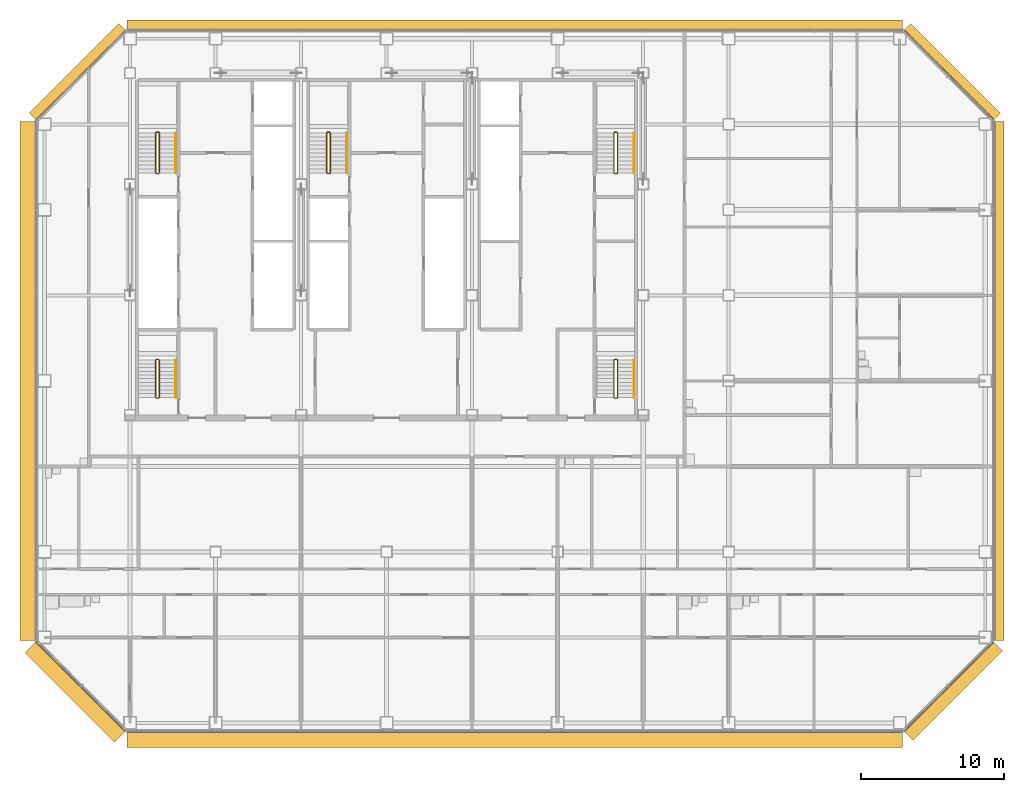
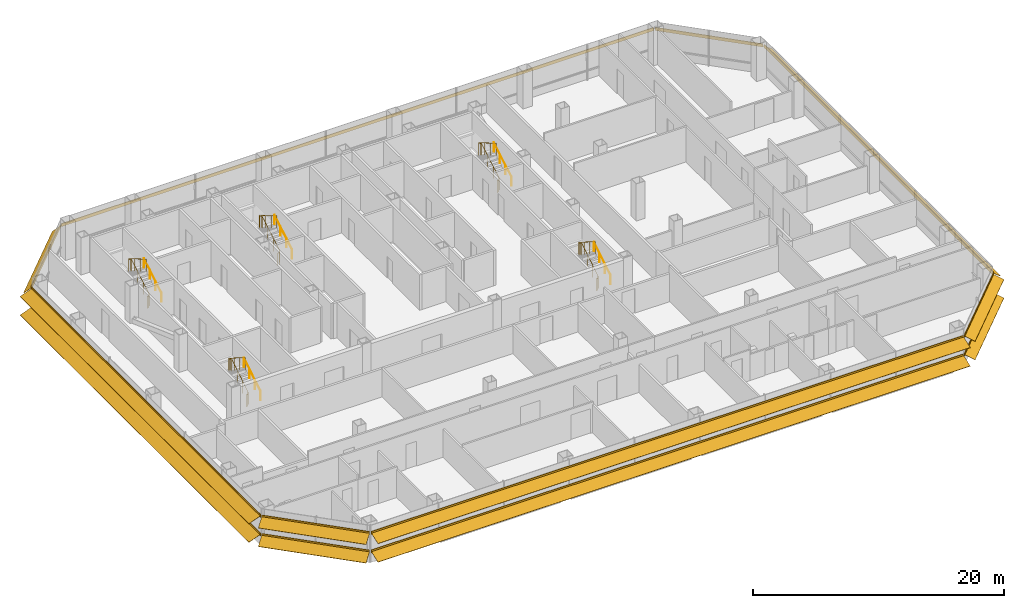
# One storey, part 26 of 27: 10 railings, 8 shading devices.
"""IFC4 building model written with IfcOpenShell, lengths in metres."""

import ifcopenshell
import ifcopenshell.guid

model = None  # the IFC model being written
_history = None  # IfcOwnerHistory: only IFC2X3 demands one
_inside = {}  # id of a spatial element -> (the spatial element, [elements in it])
_under = {}  # id of a project, library or spatial element -> (it, [spatial elements below it])
_declared = {}  # id of a project -> (the project, [libraries it declares])
_typed = {}  # id of a type object -> (the type object, [elements of that type])
_made_of = {}  # id of a material, layer set ... -> (it, [elements and type objects made of it])


def new_model(schema):
    """Start an empty IFC model of exactly this schema.

    Asked for "IFC4X3", IfcOpenShell would pick the latest addendum, in which some entities
    have other attributes; the version numbers below select the first issue.
    IFC2X3 requires an IfcOwnerHistory on every rooted entity: one is made here for all.
    """
    global model, _history
    if schema == "IFC4X3":
        model = ifcopenshell.file(schema_version=(4, 3, 0, 0))
    else:
        model = ifcopenshell.file(schema=schema)
    _inside.clear()
    _under.clear()
    _declared.clear()
    _typed.clear()
    _made_of.clear()
    _history = None
    if model.schema == "IFC2X3":
        org = make("IfcOrganization", Name="unknown")
        user = make(
            "IfcPersonAndOrganization",
            ThePerson=make("IfcPerson", FamilyName="unknown"),
            TheOrganization=org,
        )
        app = make(
            "IfcApplication",
            ApplicationDeveloper=org,
            Version="unknown",
            ApplicationFullName="unknown",
            ApplicationIdentifier="unknown",
        )
        _history = make(
            "IfcOwnerHistory",
            OwningUser=user,
            OwningApplication=app,
            ChangeAction="ADDED",
            CreationDate=0,
        )
    return model


def make(cls, **values):
    """One entity of the class cls with the attributes given. An attribute that is None is left unset."""
    return model.create_entity(
        cls, **{name: value for name, value in values.items() if value is not None}
    )


def rooted(cls, **values):
    """An entity with a GlobalId (a new one), such as an element, a storey or a relation."""
    return make(cls, GlobalId=ifcopenshell.guid.new(), OwnerHistory=_history, **values)


def si_unit(unit_type, name, prefix=None):
    """IfcSIUnit, for example si_unit("LENGTHUNIT", "METRE", prefix="MILLI")."""
    return make("IfcSIUnit", UnitType=unit_type, Prefix=prefix, Name=name)


def assignment(units):
    """IfcUnitAssignment: the units of a project."""
    return None if units is None else make("IfcUnitAssignment", Units=units)


def point(xyz):
    """IfcCartesianPoint."""
    return None if xyz is None else make("IfcCartesianPoint", Coordinates=xyz)


def direction(xyz):
    """IfcDirection."""
    return None if xyz is None else make("IfcDirection", DirectionRatios=xyz)


def frame(location, z_axis=None, x_axis=None):
    """IfcAxis2Placement3D, a coordinate frame: its origin and axes. An axis left out is left unset."""
    return make(
        "IfcAxis2Placement3D",
        Location=point(location),
        Axis=direction(z_axis),
        RefDirection=direction(x_axis),
    )


def frame_2d(location, x_axis=None):
    """IfcAxis2Placement2D, a coordinate frame in the plane: its origin and x axis."""
    return make(
        "IfcAxis2Placement2D", Location=point(location), RefDirection=direction(x_axis)
    )


def origin():
    """The frame at (0, 0, 0) with its axes left unset."""
    return frame((0.0, 0.0, 0.0))


def origin_2d():
    """The frame at (0, 0) in the plane with its x axis left unset."""
    return frame_2d((0.0, 0.0))


def place(relative_to, where):
    """IfcLocalPlacement: puts the frame where relative to a parent placement (None: the world)."""
    return make(
        "IfcLocalPlacement", PlacementRelTo=relative_to, RelativePlacement=where
    )


def context(
    kind, dimensions, precision=None, world=None, true_north=None, identifier=None
):
    """IfcGeometricRepresentationContext, for example the 3D "Model" context."""
    return make(
        "IfcGeometricRepresentationContext",
        ContextIdentifier=identifier,
        ContextType=kind,
        CoordinateSpaceDimension=dimensions,
        Precision=precision,
        WorldCoordinateSystem=world,
        TrueNorth=true_north,
    )


def subcontext(parent, identifier, kind, view, scale=None):
    """IfcGeometricRepresentationSubContext, for example "Body" below "Model"."""
    return make(
        "IfcGeometricRepresentationSubContext",
        ContextIdentifier=identifier,
        ContextType=kind,
        ParentContext=parent,
        TargetScale=scale,
        TargetView=view,
    )


def project(units=None, contexts=None):
    """IfcProject with its units and contexts."""
    return rooted(
        "IfcProject",
        Name="project",
        RepresentationContexts=contexts,
        UnitsInContext=assignment(units),
    )


def spatial(cls, under=None, at=None, **own):
    """A site, building, storey or space (cls), placed at a placement, below another one or the project."""
    s = rooted(cls, ObjectPlacement=at, **own)
    if under is not None:
        _under.setdefault(under.id(), (under, []))[1].append(s)
    return s


def polyline(points):
    """IfcPolyline through the points."""
    return make("IfcPolyline", Points=[point(p) for p in points])


def profile(cls, at=None, kind="AREA", **sizes):
    """A parametric profile (cls). Its sizes go by their IFC names, for example OverallWidth=200.0."""
    return make(cls, ProfileType=kind, Position=at, **sizes)


def circle(**sizes):
    """IfcCircleProfileDef."""
    return profile("IfcCircleProfileDef", **sizes)


def outline(outer, holes=None, kind="AREA"):
    """IfcArbitraryClosedProfileDef: a profile drawn as a closed curve; with holes, ...WithVoids."""
    if holes is None:
        return make("IfcArbitraryClosedProfileDef", ProfileType=kind, OuterCurve=outer)
    return make(
        "IfcArbitraryProfileDefWithVoids",
        ProfileType=kind,
        OuterCurve=outer,
        InnerCurves=holes,
    )


def composite_profile(profiles, kind="AREA"):
    """IfcCompositeProfileDef: several profiles as one."""
    return make("IfcCompositeProfileDef", ProfileType=kind, Profiles=profiles)


def extrude(swept, where, along, depth):
    """IfcExtrudedAreaSolid: the profile swept, set in the frame where, extruded along a direction by depth."""
    return make(
        "IfcExtrudedAreaSolid",
        SweptArea=swept,
        Position=where,
        ExtrudedDirection=direction(along),
        Depth=depth,
    )


def shape(context_of_items, identifier, shape_type, items):
    """IfcShapeRepresentation: the items that make up one representation, for example the "Body"."""
    return make(
        "IfcShapeRepresentation",
        ContextOfItems=context_of_items,
        RepresentationIdentifier=identifier,
        RepresentationType=shape_type,
        Items=items,
    )


def material(Name=None, Category=None):
    """IfcMaterial."""
    return make("IfcMaterial", Name=Name, Category=Category)


def made_of(thing, what):
    """Note that an element or type object is made of a material, layer set ...; save() writes the relation."""
    if what is not None:
        _made_of.setdefault(what.id(), (what, []))[1].append(thing)
    return thing


def type_object(cls, material=None, **own):
    """A type object (cls), such as IfcWallType, which elements share."""
    return made_of(rooted(cls, **own), material)


def element(
    cls,
    number,
    at=None,
    inside=None,
    cuts=None,
    type_object=None,
    material=None,
    context=None,
    identifier="Body",
    shape_type=None,
    held_by="IfcProductDefinitionShape",
    body=None,
    shapes=None,
    **own,
):
    """One element of the class cls, such as IfcWall. Its Tag is "e" and its number.

    at: its placement. inside: the storey or other place that contains it. cuts: it is an
    opening in that element (IfcRelVoidsElement). A single representation is given by context,
    identifier, shape_type and body (its items); several are given by shapes. held_by: the class
    of the entity that holds the representations. save() writes the other relations.
    """
    e = rooted(cls, Tag="e%d" % number, ObjectPlacement=at, **own)
    if body is not None:
        shapes = [shape(context, identifier, shape_type, body)]
    if shapes is not None:
        e.Representation = make(held_by, Representations=shapes)
    if inside is not None:
        _inside.setdefault(inside.id(), (inside, []))[1].append(e)
    if cuts is not None:
        rooted(
            "IfcRelVoidsElement", RelatingBuildingElement=cuts, RelatedOpeningElement=e
        )
    if type_object is not None:
        _typed.setdefault(type_object.id(), (type_object, []))[1].append(e)
    return made_of(e, material)


def aggregate(whole, parts):
    """IfcRelAggregates: a whole, such as a stair, and the parts it consists of."""
    return rooted("IfcRelAggregates", RelatingObject=whole, RelatedObjects=parts)


def save(model, path):
    """Write the relations noted so far, then the file.

    IfcRelAggregates (storeys below a building ...), IfcRelContainedInSpatialStructure (elements
    in a storey), IfcRelDefinesByType, IfcRelAssociatesMaterial and IfcRelDeclares: one each for
    every whole, place, type object, material and project.
    """
    for whole, parts in _under.values():
        aggregate(whole, parts)
    for where, things in _inside.values():
        rooted(
            "IfcRelContainedInSpatialStructure",
            RelatedElements=things,
            RelatingStructure=where,
        )
    for kind, things in _typed.values():
        rooted("IfcRelDefinesByType", RelatedObjects=things, RelatingType=kind)
    for what, things in _made_of.values():
        rooted("IfcRelAssociatesMaterial", RelatedObjects=things, RelatingMaterial=what)
    for by, libraries in _declared.values():
        rooted("IfcRelDeclares", RelatingContext=by, RelatedDefinitions=libraries)
    model.write(path)


model = new_model("IFC4")

# Units and contexts
model_context = context("Model", 3, precision=1e-05, world=origin(), true_north=direction((0.0, 1.0)))
body_context = subcontext(model_context, "Body", "Model", "MODEL_VIEW")
ifc_project = project(units=[si_unit("LENGTHUNIT", "METRE"), si_unit("AREAUNIT", "SQUARE_METRE"), si_unit("VOLUMEUNIT", "CUBIC_METRE"), si_unit("PLANEANGLEUNIT", "RADIAN"), si_unit("MASSUNIT", "GRAM", prefix="KILO")], contexts=[model_context])

# Site, building, storey
site_placement = place(None, origin())
site = spatial("IfcSite", under=ifc_project, at=site_placement, CompositionType="ELEMENT")
building_placement = place(site_placement, origin())
building = spatial("IfcBuilding", under=site, at=building_placement, Name="Sorahane Residences", CompositionType="ELEMENT")
storey_placement = place(building_placement, frame((0.0, 0.0, 53.39990234375)))
storey = spatial("IfcBuildingStorey", under=building, at=storey_placement, Name="L09", CompositionType="ELEMENT", Elevation=53.39990234375)

# Shading devices
ifc_material_1 = material(Name="Terracotta anodised aluminium", Category="masonry")
shading_device_type_1 = type_object("IfcShadingDeviceType", Name="Louvre sunshade blade E terracotta aluminium 700", PredefinedType="JALOUSIE", material=ifc_material_1)
shading_device_1_placement = place(storey_placement, frame((66.60009765625, 5.801513671875, 2.7001953125), z_axis=(0.0, 1.0, 0.0), x_axis=(-1.0, 0.0, 0.0)))
element("IfcShadingDevice", 1, at=shading_device_1_placement, inside=storey, type_object=shading_device_type_1, Name="Louvre sunshade blade bank E L09 E1", PredefinedType="JALOUSIE", context=body_context, shape_type="SweptSolid", body=[
    extrude(outline(polyline([(-0.719970703125, -0.49365234375), (-0.719970703125, -0.523681640625), (-0.080078125, -0.05859375), (-0.080078125, -0.14990234375), (-0.02001953125, -0.14990234375), (-0.02001953125, -0.014892578125), (-0.02001953125, 0.014892578125), (-0.02001953125, 0.14990234375), (-0.080078125, 0.14990234375), (-0.080078125, -0.028564453125), (-0.719970703125, -0.49365234375)])), origin(), (0.0, 0.0, 1.0), 36.39697265625),
])
ifc_material_2 = material(Name="Terracotta anodised aluminium", Category="masonry")
shading_device_type_2 = type_object("IfcShadingDeviceType", Name="Louvre sunshade blade N terracotta aluminium 700", PredefinedType="JALOUSIE", material=ifc_material_2)
shading_device_2_placement = place(storey_placement, frame((60.198486328125, 48.60009765625, 2.7001953125), z_axis=(-1.0, 0.0, 0.0), x_axis=(0.0, -1.0, 0.0)))
element("IfcShadingDevice", 2, at=shading_device_2_placement, inside=storey, type_object=shading_device_type_2, Name="Louvre sunshade blade bank N L09 N1", PredefinedType="JALOUSIE", context=body_context, shape_type="SweptSolid", body=[
    extrude(outline(polyline([(-0.719970703125, -0.660888671875), (-0.719970703125, -0.69091796875), (-0.080078125, -0.072998046875), (-0.080078125, -0.14990234375), (-0.02001953125, -0.14990234375), (-0.02001953125, -0.014892578125), (-0.02001953125, 0.014892578125), (-0.02001953125, 0.14990234375), (-0.080078125, 0.14990234375), (-0.080078125, -0.04296875), (-0.719970703125, -0.660888671875)])), origin(), (0.0, 0.0, 1.0), 54.39697265625),
])
ifc_material_3 = material(Name="Terracotta anodised aluminium", Category="masonry")
shading_device_type_3 = type_object("IfcShadingDeviceType", Name="Louvre sunshade blade NE terracotta aluminium 700", PredefinedType="JALOUSIE", material=ifc_material_3)
shading_device_3_placement = place(storey_placement, frame((66.564697265625, 42.283935546875, 2.7001953125), z_axis=(-0.707106781187, 0.707106781187, 0.0), x_axis=(-0.707106781187, -0.707106781187, 0.0)))
element("IfcShadingDevice", 3, at=shading_device_3_placement, inside=storey, type_object=shading_device_type_3, Name="Louvre sunshade blade bank NE L09 NE1", PredefinedType="JALOUSIE", context=body_context, shape_type="SweptSolid", body=[
    extrude(outline(polyline([(-0.719970703125, -0.572509765625), (-0.719970703125, -0.602294921875), (-0.080078125, -0.065185546875), (-0.080078125, -0.14990234375), (-0.02001953125, -0.14990234375), (-0.02001953125, -0.014892578125), (-0.02001953125, 0.014892578125), (-0.02001953125, 0.14990234375), (-0.080078125, 0.14990234375), (-0.080078125, -0.035400390625), (-0.719970703125, -0.572509765625)])), origin(), (0.0, 0.0, 1.0), 8.88232421875),
])
ifc_material_4 = material(Name="Terracotta anodised aluminium", Category="masonry")
shading_device_type_4 = type_object("IfcShadingDeviceType", Name="Louvre sunshade blade NW terracotta aluminium 700", PredefinedType="JALOUSIE", material=ifc_material_4)
shading_device_4_placement = place(storey_placement, frame((5.716064453125, 48.564697265625, 2.7001953125), z_axis=(-0.707106781187, -0.707106781187, 0.0), x_axis=(0.707106781187, -0.707106781187, 0.0)))
element("IfcShadingDevice", 4, at=shading_device_4_placement, inside=storey, type_object=shading_device_type_4, Name="Louvre sunshade blade bank NW L09 NW1", PredefinedType="JALOUSIE", context=body_context, shape_type="SweptSolid", body=[
    extrude(outline(polyline([(-0.719970703125, -0.660888671875), (-0.719970703125, -0.69091796875), (-0.080078125, -0.072998046875), (-0.080078125, -0.14990234375), (-0.02001953125, -0.14990234375), (-0.02001953125, -0.014892578125), (-0.02001953125, 0.014892578125), (-0.02001953125, 0.14990234375), (-0.080078125, 0.14990234375), (-0.080078125, -0.04296875), (-0.719970703125, -0.660888671875)])), origin(), (0.0, 0.0, 1.0), 8.88232421875),
])
ifc_material_5 = material(Name="Terracotta anodised aluminium", Category="masonry")
shading_device_type_5 = type_object("IfcShadingDeviceType", Name="Louvre sunshade blade S terracotta aluminium 1100", PredefinedType="JALOUSIE", material=ifc_material_5)
shading_device_5_placement = place(storey_placement, frame((5.801513671875, -0.60009765625, 0.900146484375), z_axis=(1.0, 0.0, 0.0), x_axis=(0.0, 1.0, 0.0)))
element("IfcShadingDevice", 5, at=shading_device_5_placement, inside=storey, type_object=shading_device_type_5, Name="Louvre sunshade blade bank S L09 S1", PredefinedType="JALOUSIE", context=body_context, shape_type="SweptSolid", body=[
    extrude(composite_profile([outline(polyline([(-1.1201171875, -0.385498046875), (-1.1201171875, -0.415283203125), (-0.080078125, -0.036865234375), (-0.080078125, -0.14990234375), (-0.02001953125, -0.14990234375), (-0.02001953125, -0.014892578125), (-0.02001953125, 0.014892578125), (-0.02001953125, 0.14990234375), (-0.080078125, 0.14990234375), (-0.080078125, -0.0068359375), (-1.1201171875, -0.385498046875)])), outline(polyline([(-1.1201171875, 1.41455078125), (-1.1201171875, 1.384521484375), (-0.080078125, 1.76318359375), (-0.080078125, 1.64990234375), (-0.02001953125, 1.64990234375), (-0.02001953125, 1.784912109375), (-0.02001953125, 1.81494140625), (-0.02001953125, 1.949951171875), (-0.080078125, 1.949951171875), (-0.080078125, 1.793212890625), (-1.1201171875, 1.41455078125)]))]), origin(), (0.0, 0.0, 1.0), 54.39697265625),
])
ifc_material_6 = material(Name="Terracotta anodised aluminium", Category="masonry")
shading_device_type_6 = type_object("IfcShadingDeviceType", Name="Louvre sunshade blade SE terracotta aluminium 900", PredefinedType="JALOUSIE", material=ifc_material_6)
shading_device_6_placement = place(storey_placement, frame((60.283935546875, -0.564697265625, 0.900146484375), z_axis=(0.707106781187, 0.707106781187, 0.0), x_axis=(-0.707106781187, 0.707106781187, 0.0)))
element("IfcShadingDevice", 6, at=shading_device_6_placement, inside=storey, type_object=shading_device_type_6, Name="Louvre sunshade blade bank SE L09 SE1", PredefinedType="JALOUSIE", context=body_context, shape_type="SweptSolid", body=[
    extrude(composite_profile([outline(polyline([(-0.919921875, -0.3486328125), (-0.919921875, -0.378662109375), (-0.080078125, -0.039306640625), (-0.080078125, -0.14990234375), (-0.02001953125, -0.14990234375), (-0.02001953125, -0.014892578125), (-0.02001953125, 0.014892578125), (-0.02001953125, 0.14990234375), (-0.080078125, 0.14990234375), (-0.080078125, -0.00927734375), (-0.919921875, -0.3486328125)])), outline(polyline([(-0.919921875, 1.451416015625), (-0.919921875, 1.42138671875), (-0.080078125, 1.7607421875), (-0.080078125, 1.64990234375), (-0.02001953125, 1.64990234375), (-0.02001953125, 1.784912109375), (-0.02001953125, 1.81494140625), (-0.02001953125, 1.949951171875), (-0.080078125, 1.949951171875), (-0.080078125, 1.790771484375), (-0.919921875, 1.451416015625)]))]), origin(), (0.0, 0.0, 1.0), 8.88232421875),
])
ifc_material_7 = material(Name="Terracotta anodised aluminium", Category="masonry")
shading_device_type_7 = type_object("IfcShadingDeviceType", Name="Louvre sunshade blade SW terracotta aluminium 1100", PredefinedType="JALOUSIE", material=ifc_material_7)
shading_device_7_placement = place(storey_placement, frame((-0.564697265625, 5.716064453125, 0.900146484375), z_axis=(0.707106781187, -0.707106781187, 0.0), x_axis=(0.707106781187, 0.707106781187, 0.0)))
element("IfcShadingDevice", 7, at=shading_device_7_placement, inside=storey, type_object=shading_device_type_7, Name="Louvre sunshade blade bank SW L09 SW1", PredefinedType="JALOUSIE", context=body_context, shape_type="SweptSolid", body=[
    extrude(composite_profile([outline(polyline([(-1.1201171875, -0.385498046875), (-1.1201171875, -0.415283203125), (-0.080078125, -0.036865234375), (-0.080078125, -0.14990234375), (-0.02001953125, -0.14990234375), (-0.02001953125, -0.014892578125), (-0.02001953125, 0.014892578125), (-0.02001953125, 0.14990234375), (-0.080078125, 0.14990234375), (-0.080078125, -0.0068359375), (-1.1201171875, -0.385498046875)])), outline(polyline([(-1.1201171875, 1.41455078125), (-1.1201171875, 1.384521484375), (-0.080078125, 1.76318359375), (-0.080078125, 1.64990234375), (-0.02001953125, 1.64990234375), (-0.02001953125, 1.784912109375), (-0.02001953125, 1.81494140625), (-0.02001953125, 1.949951171875), (-0.080078125, 1.949951171875), (-0.080078125, 1.793212890625), (-1.1201171875, 1.41455078125)]))]), origin(), (0.0, 0.0, 1.0), 8.88232421875),
])
ifc_material_8 = material(Name="Terracotta anodised aluminium", Category="masonry")
shading_device_type_8 = type_object("IfcShadingDeviceType", Name="Louvre sunshade blade W terracotta aluminium 1100", PredefinedType="JALOUSIE", material=ifc_material_8)
shading_device_8_placement = place(storey_placement, frame((-0.60009765625, 42.198486328125, 0.900146484375), z_axis=(0.0, -1.0, 0.0), x_axis=(1.0, 0.0, 0.0)))
element("IfcShadingDevice", 8, at=shading_device_8_placement, inside=storey, type_object=shading_device_type_8, Name="Louvre sunshade blade bank W L09 W1", PredefinedType="JALOUSIE", context=body_context, shape_type="SweptSolid", body=[
    extrude(composite_profile([outline(polyline([(-1.1201171875, -0.385498046875), (-1.1201171875, -0.415283203125), (-0.080078125, -0.036865234375), (-0.080078125, -0.14990234375), (-0.02001953125, -0.14990234375), (-0.02001953125, -0.014892578125), (-0.02001953125, 0.014892578125), (-0.02001953125, 0.14990234375), (-0.080078125, 0.14990234375), (-0.080078125, -0.0068359375), (-1.1201171875, -0.385498046875)])), outline(polyline([(-1.1201171875, 1.41455078125), (-1.1201171875, 1.384521484375), (-0.080078125, 1.76318359375), (-0.080078125, 1.64990234375), (-0.02001953125, 1.64990234375), (-0.02001953125, 1.784912109375), (-0.02001953125, 1.81494140625), (-0.02001953125, 1.949951171875), (-0.080078125, 1.949951171875), (-0.080078125, 1.793212890625), (-1.1201171875, 1.41455078125)]))]), origin(), (0.0, 0.0, 1.0), 36.39697265625),
])

# Railings
ifc_material_9 = material(Name="Steel Q355B", Category="steel")
railing_type_1 = type_object("IfcRailingType", Name="Stair guard 1200 Steel Q355B", PredefinedType="GUARDRAIL", material=ifc_material_9)
railing_1_placement = place(storey_placement, frame((7.85009765625, 38.550048828125, 0.0)))
element("IfcRailing", 9, at=railing_1_placement, inside=storey, type_object=railing_type_1, Name="L09 S1 stair guard 1", PredefinedType="GUARDRAIL", context=body_context, shape_type="SweptSolid", body=[
    extrude(circle(Radius=0.02392578125, at=origin_2d()), frame((0.0, 0.0, 1.17578125), z_axis=(1.0, 0.0, 0.0), x_axis=(0.0, 1.0, 0.0)), (0.0, 0.0, 1.0), 0.14990234375),
    extrude(circle(Radius=0.02392578125, at=origin_2d()), frame((0.14990234375, 0.0, 1.17578125), z_axis=(0.280456126637, 0.280456126637, 0.917980785237), x_axis=(-0.707106781187, 0.707106781187, 0.0)), (0.0, 0.0, 1.0), 0.178466796875),
    extrude(circle(Radius=0.02392578125, at=origin_2d()), frame((0.199951171875, 0.050048828125, 1.33984375), z_axis=(0.0, 0.863374499697, 0.504563646405), x_axis=(-1.0, 0.0, 0.0)), (0.0, 0.0, 1.0), 3.242919921875),
    extrude(circle(Radius=0.02392578125, at=origin_2d()), frame((0.199951171875, 2.849853515625, 2.97607421875), z_axis=(-0.707106781187, 0.707106781187, 0.0), x_axis=(-0.707106781187, -0.707106781187, 0.0)), (0.0, 0.0, 1.0), 0.07080078125),
    extrude(circle(Radius=0.02392578125, at=origin_2d()), frame((0.14990234375, 2.89990234375, 2.97607421875), z_axis=(-1.0, 0.0, 0.0), x_axis=(0.0, -1.0, 0.0)), (0.0, 0.0, 1.0), 0.14990234375),
    extrude(circle(Radius=0.02392578125, at=origin_2d()), frame((0.0, 2.89990234375, 2.97607421875), z_axis=(-0.280808744504, -0.280808744504, 0.917765164963), x_axis=(0.707106781187, -0.707106781187, 0.0)), (0.0, 0.0, 1.0), 0.17822265625),
    extrude(circle(Radius=0.02392578125, at=origin_2d()), frame((-0.050048828125, 2.849853515625, 3.1396484375), z_axis=(0.0, -0.863341702679, 0.504619762213), x_axis=(1.0, 0.0, 0.0)), (0.0, 0.0, 1.0), 3.242919921875),
    extrude(circle(Radius=0.02099609375, at=origin_2d()), origin(), (0.0, 0.0, 1.0), 1.15185546875),
    extrude(circle(Radius=0.02099609375, at=origin_2d()), frame((0.14990234375, 0.0, 0.0)), (0.0, 0.0, 1.0), 1.15185546875),
    extrude(circle(Radius=0.02099609375, at=origin_2d()), frame((0.199951171875, 0.050048828125, 0.163818359375)), (0.0, 0.0, 1.0), 1.15185546875),
    extrude(circle(Radius=0.02099609375, at=origin_2d()), frame((0.199951171875, 0.9833984375, 0.709228515625)), (0.0, 0.0, 1.0), 1.15185546875),
    extrude(circle(Radius=0.02099609375, at=origin_2d()), frame((0.199951171875, 1.91650390625, 1.254638671875)), (0.0, 0.0, 1.0), 1.15185546875),
    extrude(circle(Radius=0.02099609375, at=origin_2d()), frame((0.199951171875, 2.849853515625, 1.800048828125)), (0.0, 0.0, 1.0), 1.15185546875),
    extrude(circle(Radius=0.02099609375, at=origin_2d()), frame((0.14990234375, 2.89990234375, 1.800048828125)), (0.0, 0.0, 1.0), 1.15185546875),
    extrude(circle(Radius=0.02099609375, at=origin_2d()), frame((0.0, 2.89990234375, 1.800048828125)), (0.0, 0.0, 1.0), 1.15185546875),
    extrude(circle(Radius=0.02099609375, at=origin_2d()), frame((-0.050048828125, 2.849853515625, 1.963623046875)), (0.0, 0.0, 1.0), 1.15185546875),
    extrude(circle(Radius=0.02099609375, at=origin_2d()), frame((-0.050048828125, 1.91650390625, 2.509033203125)), (0.0, 0.0, 1.0), 1.15185546875),
    extrude(circle(Radius=0.02099609375, at=origin_2d()), frame((-0.050048828125, 0.9833984375, 3.0546875)), (0.0, 0.0, 1.0), 1.15185546875),
    extrude(circle(Radius=0.02099609375, at=origin_2d()), frame((-0.050048828125, 0.050048828125, 3.60009765625)), (0.0, 0.0, 1.0), 1.15185546875),
])
railing_2_placement = place(storey_placement, frame((40.0, 38.550048828125, 0.0)))
element("IfcRailing", 10, at=railing_2_placement, inside=storey, type_object=railing_type_1, Name="L09 S2 stair guard 1", PredefinedType="GUARDRAIL", context=body_context, shape_type="SweptSolid", body=[
    extrude(circle(Radius=0.02392578125, at=origin_2d()), frame((0.0, 0.0, 1.17578125), z_axis=(1.0, 0.0, 0.0), x_axis=(0.0, 1.0, 0.0)), (0.0, 0.0, 1.0), 0.14990234375),
    extrude(circle(Radius=0.02392578125, at=origin_2d()), frame((0.14990234375, 0.0, 1.17578125), z_axis=(0.280456126637, 0.280456126637, 0.917980785237), x_axis=(-0.707106781187, 0.707106781187, 0.0)), (0.0, 0.0, 1.0), 0.178466796875),
    extrude(circle(Radius=0.02392578125, at=origin_2d()), frame((0.199951171875, 0.050048828125, 1.33984375), z_axis=(0.0, 0.863374499697, 0.504563646405), x_axis=(-1.0, 0.0, 0.0)), (0.0, 0.0, 1.0), 3.242919921875),
    extrude(circle(Radius=0.02392578125, at=origin_2d()), frame((0.199951171875, 2.849853515625, 2.97607421875), z_axis=(-0.707106781187, 0.707106781187, 0.0), x_axis=(-0.707106781187, -0.707106781187, 0.0)), (0.0, 0.0, 1.0), 0.07080078125),
    extrude(circle(Radius=0.02392578125, at=origin_2d()), frame((0.14990234375, 2.89990234375, 2.97607421875), z_axis=(-1.0, 0.0, 0.0), x_axis=(0.0, -1.0, 0.0)), (0.0, 0.0, 1.0), 0.14990234375),
    extrude(circle(Radius=0.02392578125, at=origin_2d()), frame((0.0, 2.89990234375, 2.97607421875), z_axis=(-0.280808744504, -0.280808744504, 0.917765164963), x_axis=(0.707106781187, -0.707106781187, 0.0)), (0.0, 0.0, 1.0), 0.17822265625),
    extrude(circle(Radius=0.02392578125, at=origin_2d()), frame((-0.050048828125, 2.849853515625, 3.1396484375), z_axis=(0.0, -0.863341702679, 0.504619762213), x_axis=(1.0, 0.0, 0.0)), (0.0, 0.0, 1.0), 3.242919921875),
    extrude(circle(Radius=0.02099609375, at=origin_2d()), origin(), (0.0, 0.0, 1.0), 1.15185546875),
    extrude(circle(Radius=0.02099609375, at=origin_2d()), frame((0.14990234375, 0.0, 0.0)), (0.0, 0.0, 1.0), 1.15185546875),
    extrude(circle(Radius=0.02099609375, at=origin_2d()), frame((0.199951171875, 0.050048828125, 0.163818359375)), (0.0, 0.0, 1.0), 1.15185546875),
    extrude(circle(Radius=0.02099609375, at=origin_2d()), frame((0.199951171875, 0.9833984375, 0.709228515625)), (0.0, 0.0, 1.0), 1.15185546875),
    extrude(circle(Radius=0.02099609375, at=origin_2d()), frame((0.199951171875, 1.91650390625, 1.254638671875)), (0.0, 0.0, 1.0), 1.15185546875),
    extrude(circle(Radius=0.02099609375, at=origin_2d()), frame((0.199951171875, 2.849853515625, 1.800048828125)), (0.0, 0.0, 1.0), 1.15185546875),
    extrude(circle(Radius=0.02099609375, at=origin_2d()), frame((0.14990234375, 2.89990234375, 1.800048828125)), (0.0, 0.0, 1.0), 1.15185546875),
    extrude(circle(Radius=0.02099609375, at=origin_2d()), frame((0.0, 2.89990234375, 1.800048828125)), (0.0, 0.0, 1.0), 1.15185546875),
    extrude(circle(Radius=0.02099609375, at=origin_2d()), frame((-0.050048828125, 2.849853515625, 1.963623046875)), (0.0, 0.0, 1.0), 1.15185546875),
    extrude(circle(Radius=0.02099609375, at=origin_2d()), frame((-0.050048828125, 1.91650390625, 2.509033203125)), (0.0, 0.0, 1.0), 1.15185546875),
    extrude(circle(Radius=0.02099609375, at=origin_2d()), frame((-0.050048828125, 0.9833984375, 3.0546875)), (0.0, 0.0, 1.0), 1.15185546875),
    extrude(circle(Radius=0.02099609375, at=origin_2d()), frame((-0.050048828125, 0.050048828125, 3.60009765625)), (0.0, 0.0, 1.0), 1.15185546875),
])
railing_3_placement = place(storey_placement, frame((19.85009765625, 38.550048828125, 0.0)))
element("IfcRailing", 11, at=railing_3_placement, inside=storey, type_object=railing_type_1, Name="L09 S3 stair guard 1", PredefinedType="GUARDRAIL", context=body_context, shape_type="SweptSolid", body=[
    extrude(circle(Radius=0.02392578125, at=origin_2d()), frame((0.0, 0.0, 1.17578125), z_axis=(1.0, 0.0, 0.0), x_axis=(0.0, 1.0, 0.0)), (0.0, 0.0, 1.0), 0.14990234375),
    extrude(circle(Radius=0.02392578125, at=origin_2d()), frame((0.14990234375, 0.0, 1.17578125), z_axis=(0.280456126637, 0.280456126637, 0.917980785237), x_axis=(-0.707106781187, 0.707106781187, 0.0)), (0.0, 0.0, 1.0), 0.178466796875),
    extrude(circle(Radius=0.02392578125, at=origin_2d()), frame((0.199951171875, 0.050048828125, 1.33984375), z_axis=(0.0, 0.863374499697, 0.504563646405), x_axis=(-1.0, 0.0, 0.0)), (0.0, 0.0, 1.0), 3.242919921875),
    extrude(circle(Radius=0.02392578125, at=origin_2d()), frame((0.199951171875, 2.849853515625, 2.97607421875), z_axis=(-0.707106781187, 0.707106781187, 0.0), x_axis=(-0.707106781187, -0.707106781187, 0.0)), (0.0, 0.0, 1.0), 0.07080078125),
    extrude(circle(Radius=0.02392578125, at=origin_2d()), frame((0.14990234375, 2.89990234375, 2.97607421875), z_axis=(-1.0, 0.0, 0.0), x_axis=(0.0, -1.0, 0.0)), (0.0, 0.0, 1.0), 0.14990234375),
    extrude(circle(Radius=0.02392578125, at=origin_2d()), frame((0.0, 2.89990234375, 2.97607421875), z_axis=(-0.280808744504, -0.280808744504, 0.917765164963), x_axis=(0.707106781187, -0.707106781187, 0.0)), (0.0, 0.0, 1.0), 0.17822265625),
    extrude(circle(Radius=0.02392578125, at=origin_2d()), frame((-0.050048828125, 2.849853515625, 3.1396484375), z_axis=(0.0, -0.863341702679, 0.504619762213), x_axis=(1.0, 0.0, 0.0)), (0.0, 0.0, 1.0), 3.242919921875),
    extrude(circle(Radius=0.02099609375, at=origin_2d()), origin(), (0.0, 0.0, 1.0), 1.15185546875),
    extrude(circle(Radius=0.02099609375, at=origin_2d()), frame((0.14990234375, 0.0, 0.0)), (0.0, 0.0, 1.0), 1.15185546875),
    extrude(circle(Radius=0.02099609375, at=origin_2d()), frame((0.199951171875, 0.050048828125, 0.163818359375)), (0.0, 0.0, 1.0), 1.15185546875),
    extrude(circle(Radius=0.02099609375, at=origin_2d()), frame((0.199951171875, 0.9833984375, 0.709228515625)), (0.0, 0.0, 1.0), 1.15185546875),
    extrude(circle(Radius=0.02099609375, at=origin_2d()), frame((0.199951171875, 1.91650390625, 1.254638671875)), (0.0, 0.0, 1.0), 1.15185546875),
    extrude(circle(Radius=0.02099609375, at=origin_2d()), frame((0.199951171875, 2.849853515625, 1.800048828125)), (0.0, 0.0, 1.0), 1.15185546875),
    extrude(circle(Radius=0.02099609375, at=origin_2d()), frame((0.14990234375, 2.89990234375, 1.800048828125)), (0.0, 0.0, 1.0), 1.15185546875),
    extrude(circle(Radius=0.02099609375, at=origin_2d()), frame((0.0, 2.89990234375, 1.800048828125)), (0.0, 0.0, 1.0), 1.15185546875),
    extrude(circle(Radius=0.02099609375, at=origin_2d()), frame((-0.050048828125, 2.849853515625, 1.963623046875)), (0.0, 0.0, 1.0), 1.15185546875),
    extrude(circle(Radius=0.02099609375, at=origin_2d()), frame((-0.050048828125, 1.91650390625, 2.509033203125)), (0.0, 0.0, 1.0), 1.15185546875),
    extrude(circle(Radius=0.02099609375, at=origin_2d()), frame((-0.050048828125, 0.9833984375, 3.0546875)), (0.0, 0.0, 1.0), 1.15185546875),
    extrude(circle(Radius=0.02099609375, at=origin_2d()), frame((-0.050048828125, 0.050048828125, 3.60009765625)), (0.0, 0.0, 1.0), 1.15185546875),
])
railing_4_placement = place(storey_placement, frame((7.85009765625, 22.800048828125, 0.0)))
element("IfcRailing", 12, at=railing_4_placement, inside=storey, type_object=railing_type_1, Name="L09 S4 stair guard 1", PredefinedType="GUARDRAIL", context=body_context, shape_type="SweptSolid", body=[
    extrude(circle(Radius=0.02392578125, at=origin_2d()), frame((0.0, 0.0, 1.17578125), z_axis=(1.0, 0.0, 0.0), x_axis=(0.0, 1.0, 0.0)), (0.0, 0.0, 1.0), 0.14990234375),
    extrude(circle(Radius=0.02392578125, at=origin_2d()), frame((0.14990234375, 0.0, 1.17578125), z_axis=(0.280456126637, 0.280456126637, 0.917980785237), x_axis=(-0.707106781187, 0.707106781187, 0.0)), (0.0, 0.0, 1.0), 0.178466796875),
    extrude(circle(Radius=0.02392578125, at=origin_2d()), frame((0.199951171875, 0.050048828125, 1.33984375), z_axis=(0.0, 0.846337672412, 0.532646734952), x_axis=(-1.0, 0.0, 0.0)), (0.0, 0.0, 1.0), 3.07177734375),
    extrude(circle(Radius=0.02392578125, at=origin_2d()), frame((0.199951171875, 2.64990234375, 2.97607421875), z_axis=(-0.707106781187, 0.707106781187, 0.0), x_axis=(-0.707106781187, -0.707106781187, 0.0)), (0.0, 0.0, 1.0), 0.07080078125),
    extrude(circle(Radius=0.02392578125, at=origin_2d()), frame((0.14990234375, 2.699951171875, 2.97607421875), z_axis=(-1.0, 0.0, 0.0), x_axis=(0.0, -1.0, 0.0)), (0.0, 0.0, 1.0), 0.14990234375),
    extrude(circle(Radius=0.02392578125, at=origin_2d()), frame((0.0, 2.699951171875, 2.97607421875), z_axis=(-0.280808744504, -0.280808744504, 0.917765164963), x_axis=(0.707106781187, -0.707106781187, 0.0)), (0.0, 0.0, 1.0), 0.17822265625),
    extrude(circle(Radius=0.02392578125, at=origin_2d()), frame((-0.050048828125, 2.64990234375, 3.1396484375), z_axis=(0.0, -0.846301844409, 0.532703658848), x_axis=(1.0, 0.0, 0.0)), (0.0, 0.0, 1.0), 3.072021484375),
    extrude(circle(Radius=0.02099609375, at=origin_2d()), origin(), (0.0, 0.0, 1.0), 1.15185546875),
    extrude(circle(Radius=0.02099609375, at=origin_2d()), frame((0.14990234375, 0.0, 0.0)), (0.0, 0.0, 1.0), 1.15185546875),
    extrude(circle(Radius=0.02099609375, at=origin_2d()), frame((0.199951171875, 0.050048828125, 0.163818359375)), (0.0, 0.0, 1.0), 1.15185546875),
    extrude(circle(Radius=0.02099609375, at=origin_2d()), frame((0.199951171875, 0.916748046875, 0.709228515625)), (0.0, 0.0, 1.0), 1.15185546875),
    extrude(circle(Radius=0.02099609375, at=origin_2d()), frame((0.199951171875, 1.783203125, 1.254638671875)), (0.0, 0.0, 1.0), 1.15185546875),
    extrude(circle(Radius=0.02099609375, at=origin_2d()), frame((0.199951171875, 2.64990234375, 1.800048828125)), (0.0, 0.0, 1.0), 1.15185546875),
    extrude(circle(Radius=0.02099609375, at=origin_2d()), frame((0.14990234375, 2.699951171875, 1.800048828125)), (0.0, 0.0, 1.0), 1.15185546875),
    extrude(circle(Radius=0.02099609375, at=origin_2d()), frame((0.0, 2.699951171875, 1.800048828125)), (0.0, 0.0, 1.0), 1.15185546875),
    extrude(circle(Radius=0.02099609375, at=origin_2d()), frame((-0.050048828125, 2.64990234375, 1.963623046875)), (0.0, 0.0, 1.0), 1.15185546875),
    extrude(circle(Radius=0.02099609375, at=origin_2d()), frame((-0.050048828125, 1.783203125, 2.509033203125)), (0.0, 0.0, 1.0), 1.15185546875),
    extrude(circle(Radius=0.02099609375, at=origin_2d()), frame((-0.050048828125, 0.916748046875, 3.0546875)), (0.0, 0.0, 1.0), 1.15185546875),
    extrude(circle(Radius=0.02099609375, at=origin_2d()), frame((-0.050048828125, 0.050048828125, 3.60009765625)), (0.0, 0.0, 1.0), 1.15185546875),
])
railing_5_placement = place(storey_placement, frame((40.0, 22.800048828125, 0.0)))
element("IfcRailing", 13, at=railing_5_placement, inside=storey, type_object=railing_type_1, Name="L09 S5 stair guard 1", PredefinedType="GUARDRAIL", context=body_context, shape_type="SweptSolid", body=[
    extrude(circle(Radius=0.02392578125, at=origin_2d()), frame((0.0, 0.0, 1.17578125), z_axis=(1.0, 0.0, 0.0), x_axis=(0.0, 1.0, 0.0)), (0.0, 0.0, 1.0), 0.14990234375),
    extrude(circle(Radius=0.02392578125, at=origin_2d()), frame((0.14990234375, 0.0, 1.17578125), z_axis=(0.280456126637, 0.280456126637, 0.917980785237), x_axis=(-0.707106781187, 0.707106781187, 0.0)), (0.0, 0.0, 1.0), 0.178466796875),
    extrude(circle(Radius=0.02392578125, at=origin_2d()), frame((0.199951171875, 0.050048828125, 1.33984375), z_axis=(0.0, 0.846337672412, 0.532646734952), x_axis=(-1.0, 0.0, 0.0)), (0.0, 0.0, 1.0), 3.07177734375),
    extrude(circle(Radius=0.02392578125, at=origin_2d()), frame((0.199951171875, 2.64990234375, 2.97607421875), z_axis=(-0.707106781187, 0.707106781187, 0.0), x_axis=(-0.707106781187, -0.707106781187, 0.0)), (0.0, 0.0, 1.0), 0.07080078125),
    extrude(circle(Radius=0.02392578125, at=origin_2d()), frame((0.14990234375, 2.699951171875, 2.97607421875), z_axis=(-1.0, 0.0, 0.0), x_axis=(0.0, -1.0, 0.0)), (0.0, 0.0, 1.0), 0.14990234375),
    extrude(circle(Radius=0.02392578125, at=origin_2d()), frame((0.0, 2.699951171875, 2.97607421875), z_axis=(-0.280808744504, -0.280808744504, 0.917765164963), x_axis=(0.707106781187, -0.707106781187, 0.0)), (0.0, 0.0, 1.0), 0.17822265625),
    extrude(circle(Radius=0.02392578125, at=origin_2d()), frame((-0.050048828125, 2.64990234375, 3.1396484375), z_axis=(0.0, -0.846301844409, 0.532703658848), x_axis=(1.0, 0.0, 0.0)), (0.0, 0.0, 1.0), 3.072021484375),
    extrude(circle(Radius=0.02099609375, at=origin_2d()), origin(), (0.0, 0.0, 1.0), 1.15185546875),
    extrude(circle(Radius=0.02099609375, at=origin_2d()), frame((0.14990234375, 0.0, 0.0)), (0.0, 0.0, 1.0), 1.15185546875),
    extrude(circle(Radius=0.02099609375, at=origin_2d()), frame((0.199951171875, 0.050048828125, 0.163818359375)), (0.0, 0.0, 1.0), 1.15185546875),
    extrude(circle(Radius=0.02099609375, at=origin_2d()), frame((0.199951171875, 0.916748046875, 0.709228515625)), (0.0, 0.0, 1.0), 1.15185546875),
    extrude(circle(Radius=0.02099609375, at=origin_2d()), frame((0.199951171875, 1.783203125, 1.254638671875)), (0.0, 0.0, 1.0), 1.15185546875),
    extrude(circle(Radius=0.02099609375, at=origin_2d()), frame((0.199951171875, 2.64990234375, 1.800048828125)), (0.0, 0.0, 1.0), 1.15185546875),
    extrude(circle(Radius=0.02099609375, at=origin_2d()), frame((0.14990234375, 2.699951171875, 1.800048828125)), (0.0, 0.0, 1.0), 1.15185546875),
    extrude(circle(Radius=0.02099609375, at=origin_2d()), frame((0.0, 2.699951171875, 1.800048828125)), (0.0, 0.0, 1.0), 1.15185546875),
    extrude(circle(Radius=0.02099609375, at=origin_2d()), frame((-0.050048828125, 2.64990234375, 1.963623046875)), (0.0, 0.0, 1.0), 1.15185546875),
    extrude(circle(Radius=0.02099609375, at=origin_2d()), frame((-0.050048828125, 1.783203125, 2.509033203125)), (0.0, 0.0, 1.0), 1.15185546875),
    extrude(circle(Radius=0.02099609375, at=origin_2d()), frame((-0.050048828125, 0.916748046875, 3.0546875)), (0.0, 0.0, 1.0), 1.15185546875),
    extrude(circle(Radius=0.02099609375, at=origin_2d()), frame((-0.050048828125, 0.050048828125, 3.60009765625)), (0.0, 0.0, 1.0), 1.15185546875),
])
ifc_material_10 = material(Name="Steel Q355B", Category="steel")
railing_type_2 = type_object("IfcRailingType", Name="Stair handrail 900 Steel Q355B", PredefinedType="HANDRAIL", material=ifc_material_10)
for number, where, name in (
    (14, (9.199951171875, 38.60009765625, 0.163818359375), "L09 S1 stair handrail 1"),
    (15, (41.35009765625, 38.60009765625, 0.163818359375), "L09 S2 stair handrail 1"),
    (16, (21.199951171875, 38.60009765625, 0.163818359375), "L09 S3 stair handrail 1"),
):
    element("IfcRailing", number, at=place(storey_placement, frame(where)), inside=storey, type_object=railing_type_2, Name=name, PredefinedType="HANDRAIL", context=body_context, shape_type="SweptSolid", body=[
        extrude(circle(Radius=0.02392578125, at=origin_2d()), frame((0.0, 0.0, 0.8759765625), z_axis=(0.0, 0.863374499697, 0.504563646405), x_axis=(-1.0, 0.0, 0.0)), (0.0, 0.0, 1.0), 3.242919921875),
        extrude(circle(Radius=0.02099609375, at=origin_2d()), origin(), (0.0, 0.0, 1.0), 0.851806640625),
        extrude(circle(Radius=0.02099609375, at=origin_2d()), frame((0.0, 0.933349609375, 0.54541015625)), (0.0, 0.0, 1.0), 0.851806640625),
        extrude(circle(Radius=0.02099609375, at=origin_2d()), frame((0.0, 1.866455078125, 1.0908203125)), (0.0, 0.0, 1.0), 0.851806640625),
        extrude(circle(Radius=0.02099609375, at=origin_2d()), frame((0.0, 2.7998046875, 1.63623046875)), (0.0, 0.0, 1.0), 0.851806640625),
    ])
for number, where, name in (
    (17, (9.199951171875, 22.85009765625, 0.163818359375), "L09 S4 stair handrail 1"),
    (18, (41.35009765625, 22.85009765625, 0.163818359375), "L09 S5 stair handrail 1"),
):
    element("IfcRailing", number, at=place(storey_placement, frame(where)), inside=storey, type_object=railing_type_2, Name=name, PredefinedType="HANDRAIL", context=body_context, shape_type="SweptSolid", body=[
        extrude(circle(Radius=0.02392578125, at=origin_2d()), frame((0.0, 0.0, 0.8759765625), z_axis=(0.0, 0.846337672412, 0.532646734952), x_axis=(-1.0, 0.0, 0.0)), (0.0, 0.0, 1.0), 3.07177734375),
        extrude(circle(Radius=0.02099609375, at=origin_2d()), origin(), (0.0, 0.0, 1.0), 0.851806640625),
        extrude(circle(Radius=0.02099609375, at=origin_2d()), frame((0.0, 0.86669921875, 0.54541015625)), (0.0, 0.0, 1.0), 0.851806640625),
        extrude(circle(Radius=0.02099609375, at=origin_2d()), frame((0.0, 1.733154296875, 1.0908203125)), (0.0, 0.0, 1.0), 0.851806640625),
        extrude(circle(Radius=0.02099609375, at=origin_2d()), frame((0.0, 2.599853515625, 1.63623046875)), (0.0, 0.0, 1.0), 0.851806640625),
    ])

save(model, "model.ifc")
